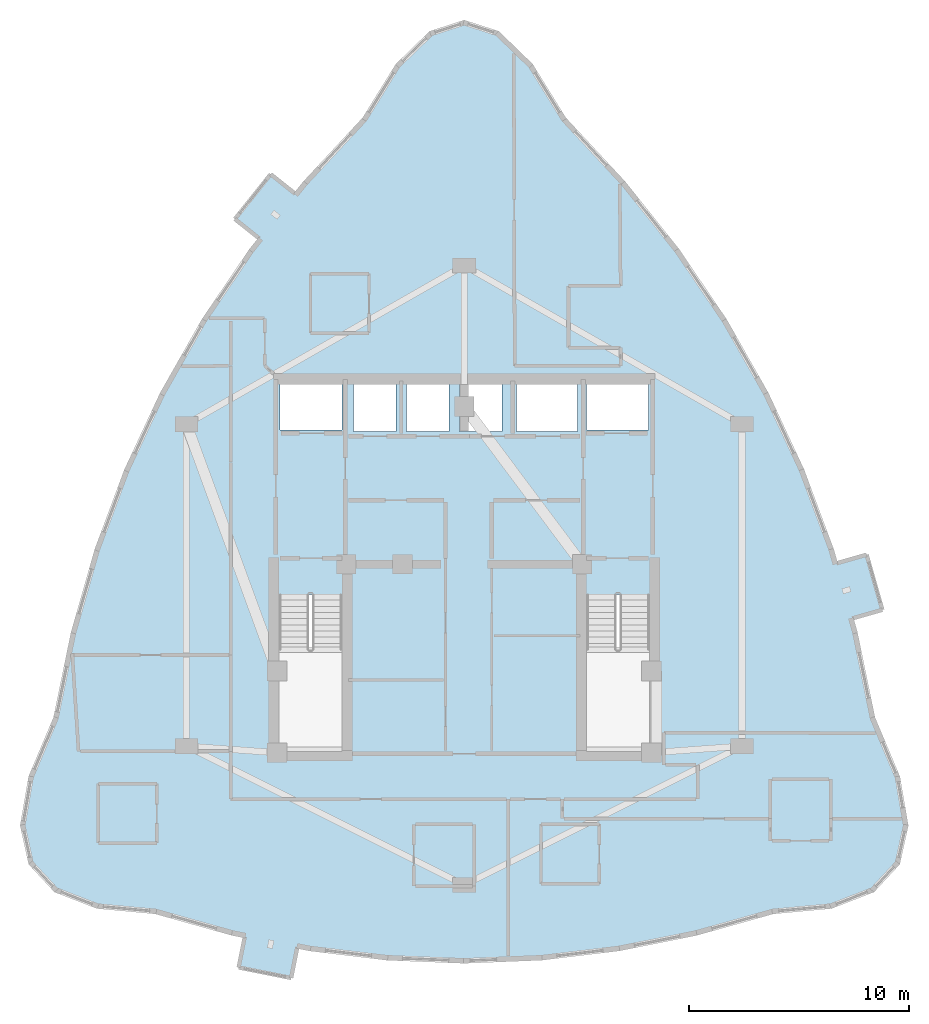
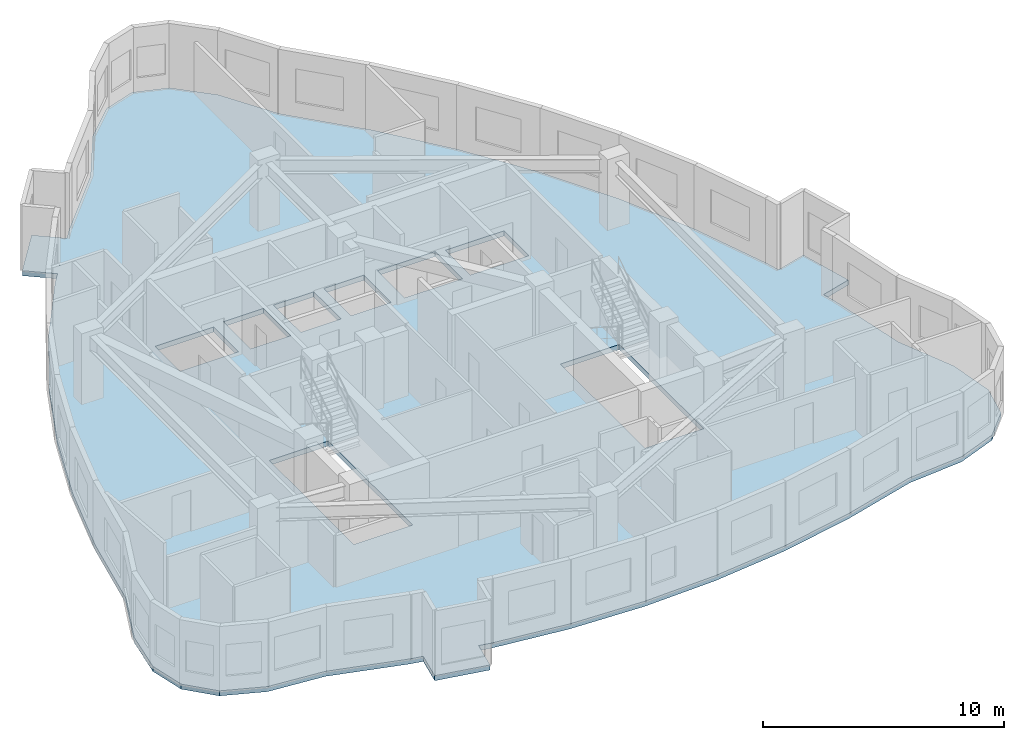
# One storey, part 4 of 12: 1 slab.
"""IFC4 building model written with IfcOpenShell, lengths in metres."""

from ifc_helpers import new_model, si_unit, direction, frame, origin, place, context, subcontext, project, spatial, polyline, outline, extrude, material, layer, layer_set, type_object, element, save


model = new_model("IFC4")

# Units and contexts
model_context = context("Model", 3, precision=1e-05, world=origin(), true_north=direction((0.0, 1.0)))
body_context = subcontext(model_context, "Body", "Model", "MODEL_VIEW")
ifc_project = project(units=[si_unit("LENGTHUNIT", "METRE"), si_unit("AREAUNIT", "SQUARE_METRE"), si_unit("VOLUMEUNIT", "CUBIC_METRE"), si_unit("PLANEANGLEUNIT", "RADIAN"), si_unit("MASSUNIT", "GRAM", prefix="KILO")], contexts=[model_context])

# Site, building, storey
site_placement = place(None, origin())
site = spatial("IfcSite", under=ifc_project, at=site_placement, CompositionType="ELEMENT")
building_placement = place(site_placement, origin())
building = spatial("IfcBuilding", under=site, at=building_placement, Name="Miruveldt Soraemaru", CompositionType="ELEMENT")
storey_placement = place(building_placement, frame((0.0, 0.0, 216.0)))
storey = spatial("IfcBuildingStorey", under=building, at=storey_placement, Name="L59", CompositionType="ELEMENT", Elevation=216.0)

# Slab
ifc_material = material(Name="Concrete C40/50 (40 MPa)", Category="concrete")
ifc_layer = layer(ifc_material, 0.2548828125, Name="Concrete C40/50 (40 MPa)", Category="concrete")
ifc_layer_set = layer_set([ifc_layer], Name="Concrete C40/50 (40 MPa)")
slab_type = type_object("IfcSlabType", Name="SLAB-RES3-255", PredefinedType="FLOOR", material=ifc_layer_set)
slab_placement = place(storey_placement, frame((0.0, 0.0, -0.2548828125)))
element("IfcSlab", 1, at=slab_placement, inside=storey, type_object=slab_type, Name="L59 Structural Floor Slab", PredefinedType="FLOOR", context=body_context, shape_type="SweptSolid", body=[
    extrude(outline(polyline([(33.768798828125, 25.760498046875), (34.05908203125, 27.2119140625), (35.2490234375, 26.973876953125), (33.498779296875, 27.323974609375), (29.99853515625, 28.303955078125), (27.36328125, 28.54736328125), (25.481201171875, 29.277587890625), (24.351806640625, 30.494873046875), (23.975341796875, 32.19873046875), (24.351806640625, 34.3896484375), (25.481201171875, 37.0673828125), (26.28076171875, 40.952392578125), (27.351806640625, 44.69775390625), (28.694580078125, 48.302978515625), (30.30908203125, 51.76806640625), (32.19482421875, 55.09326171875), (34.3525390625, 58.2783203125), (35.567138671875, 59.801025390625), (34.75634765625, 58.784912109375), (33.599365234375, 59.707763671875), (35.220947265625, 61.740234375), (36.3779296875, 60.817138671875), (36.78173828125, 61.323486328125), (39.482666015625, 64.228759765625), (40.98828125, 66.662841796875), (42.494140625, 68.12353515625), (44.0, 68.6103515625), (45.505859375, 68.12353515625), (47.01171875, 66.662841796875), (48.517333984375, 64.228759765625), (51.21826171875, 61.323486328125), (53.6474609375, 58.2783203125), (55.80517578125, 55.09326171875), (57.69091796875, 51.76806640625), (59.305419921875, 48.302978515625), (60.648193359375, 44.69775390625), (60.826416015625, 44.074951171875), (62.249267578125, 44.48193359375), (62.964111328125, 41.982177734375), (61.541259765625, 41.5751953125), (61.71923828125, 40.952392578125), (62.518798828125, 37.0673828125), (63.648193359375, 34.3896484375), (64.024658203125, 32.19873046875), (63.648193359375, 30.494873046875), (62.518798828125, 29.277587890625), (60.63671875, 28.54736328125), (58.00146484375, 28.303955078125), (54.501220703125, 27.323974609375), (51.000732421875, 26.623779296875), (47.50048828125, 26.203857421875), (44.0, 26.063720703125), (40.49951171875, 26.203857421875), (36.999267578125, 26.623779296875), (36.43896484375, 26.73583984375), (36.148681640625, 25.28466796875), (33.768798828125, 25.760498046875)]), holes=[polyline([(35.614990234375, 35.6650390625), (38.43505859375, 35.6650390625), (38.43505859375, 42.68505859375), (35.614990234375, 42.68505859375), (35.614990234375, 35.6650390625)]), polyline([(49.56494140625, 35.6650390625), (52.385009765625, 35.6650390625), (52.385009765625, 42.68505859375), (49.56494140625, 42.68505859375), (49.56494140625, 35.6650390625)]), polyline([(38.445068359375, 50.135009765625), (38.445068359375, 52.205078125), (35.635009765625, 52.205078125), (35.635009765625, 50.135009765625), (38.445068359375, 50.135009765625)]), polyline([(52.364990234375, 50.135009765625), (52.364990234375, 52.205078125), (49.554931640625, 52.205078125), (49.554931640625, 50.135009765625), (52.364990234375, 50.135009765625)]), polyline([(40.9150390625, 50.06494140625), (40.9150390625, 52.3349609375), (38.985107421875, 52.3349609375), (38.985107421875, 50.06494140625), (40.9150390625, 50.06494140625)]), polyline([(43.31494140625, 50.06494140625), (43.31494140625, 52.3349609375), (41.385009765625, 52.3349609375), (41.385009765625, 50.06494140625), (43.31494140625, 50.06494140625)]), polyline([(45.715087890625, 50.06494140625), (45.715087890625, 52.3349609375), (43.784912109375, 52.3349609375), (43.784912109375, 50.06494140625), (45.715087890625, 50.06494140625)]), polyline([(49.135009765625, 50.06494140625), (49.135009765625, 52.3349609375), (46.364990234375, 52.3349609375), (46.364990234375, 50.06494140625), (49.135009765625, 50.06494140625)])]), origin(), (0.0, 0.0, 1.0), 0.2548828125),
])

save(model, "model.ifc")
